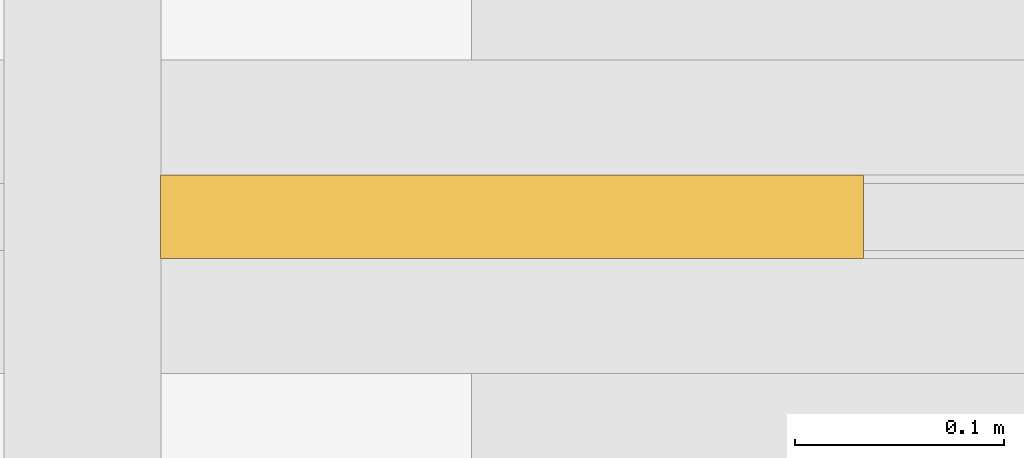
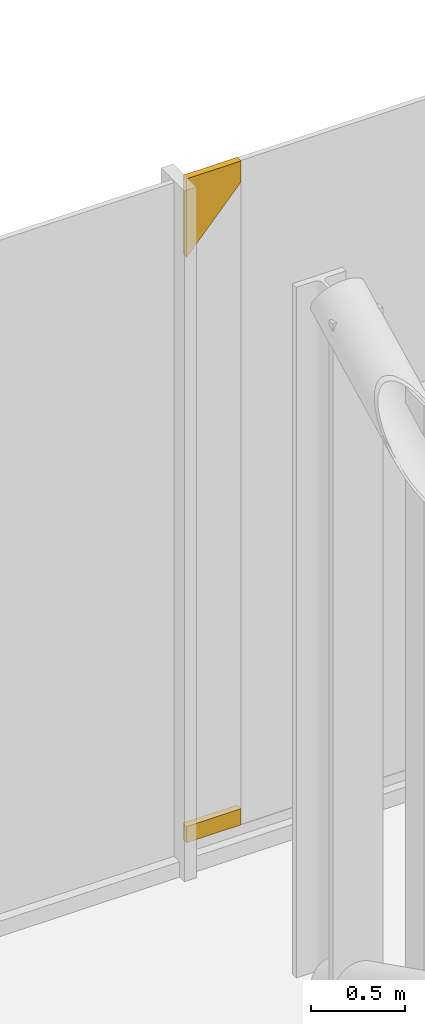
# One storey, part 25 of 25: 2 coverings.
"""IFC4 building model written with IfcOpenShell, lengths in metres."""

from ifc_helpers import new_model, si_unit, direction, frame, origin, place, context, subcontext, project, spatial, polyline, outline, extrude, material, layer, layer_set, type_object, element, save


model = new_model("IFC4")

# Units and contexts
model_context = context("Model", 3, precision=1e-05, world=origin(), true_north=direction((0.0, 1.0)))
body_context = subcontext(model_context, "Body", "Model", "MODEL_VIEW")
ifc_project = project(units=[si_unit("LENGTHUNIT", "METRE"), si_unit("AREAUNIT", "SQUARE_METRE"), si_unit("VOLUMEUNIT", "CUBIC_METRE"), si_unit("PLANEANGLEUNIT", "RADIAN"), si_unit("MASSUNIT", "GRAM", prefix="KILO")], contexts=[model_context])

# Site, building, storey
site_placement = place(None, origin())
site = spatial("IfcSite", under=ifc_project, at=site_placement, CompositionType="ELEMENT")
building_placement = place(site_placement, origin())
building = spatial("IfcBuilding", under=site, at=building_placement, Name="Malebo Sky Hospital", CompositionType="ELEMENT")
storey_placement = place(building_placement, frame((0.0, 0.0, 16.5)))
storey = spatial("IfcBuildingStorey", under=building, at=storey_placement, Name="L03", CompositionType="ELEMENT", Elevation=16.5)

# Coverings
ifc_material = material(Name="Anodised aluminium, natural silver insulated infill panel", Category="aluminium")
ifc_layer = layer(ifc_material, 0.0400390625)
ifc_layer_set = layer_set([ifc_layer], Name="BRACE INFILL PANEL 40")
covering_type = type_object("IfcCoveringType", Name="BRACE INFILL PANEL 40", PredefinedType="CLADDING", material=ifc_layer_set)
covering_1_placement = place(storey_placement, frame((15.51953125, 85.875, 0.16357421875), z_axis=(0.0, 0.0, 1.0), x_axis=(-1.0, 0.0, 0.0)))
element("IfcCovering", 1, at=covering_1_placement, inside=storey, type_object=covering_type, Name="Brace infill panel 6.3", PredefinedType="CLADDING", context=body_context, shape_type="SweptSolid", body=[
    extrude(outline(polyline([(-0.167724609375, 0.0), (0.16796875, 0.0), (0.16796875, 0.10546875), (-0.167724609375, 0.10546875), (-0.167724609375, 0.0)])), frame((0.0, 0.02001953125, 0.0), z_axis=(0.0, -1.0, 0.0), x_axis=(1.0, 0.0, 0.0)), (0.0, 0.0, 1.0), 0.0400390625),
])
covering_2_placement = place(storey_placement, frame((15.51953125, 85.875, 3.9775390625), z_axis=(0.0, 0.0, 1.0), x_axis=(-1.0, 0.0, 0.0)))
element("IfcCovering", 2, at=covering_2_placement, inside=storey, type_object=covering_type, Name="Brace infill panel 6.4", PredefinedType="CLADDING", context=body_context, shape_type="SweptSolid", body=[
    extrude(outline(polyline([(0.16796875, 0.0), (0.16796875, 0.512451171875), (-0.167724609375, 0.512451171875), (-0.167724609375, 0.375244140625), (0.16796875, 0.0)])), frame((0.0, 0.02001953125, 0.0), z_axis=(0.0, -1.0, 0.0), x_axis=(1.0, 0.0, 0.0)), (0.0, 0.0, 1.0), 0.0400390625),
])

save(model, "model.ifc")
